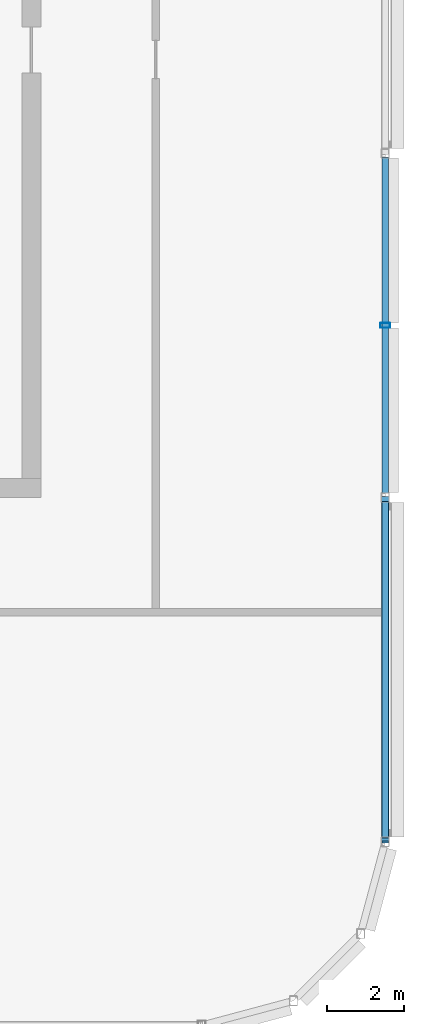
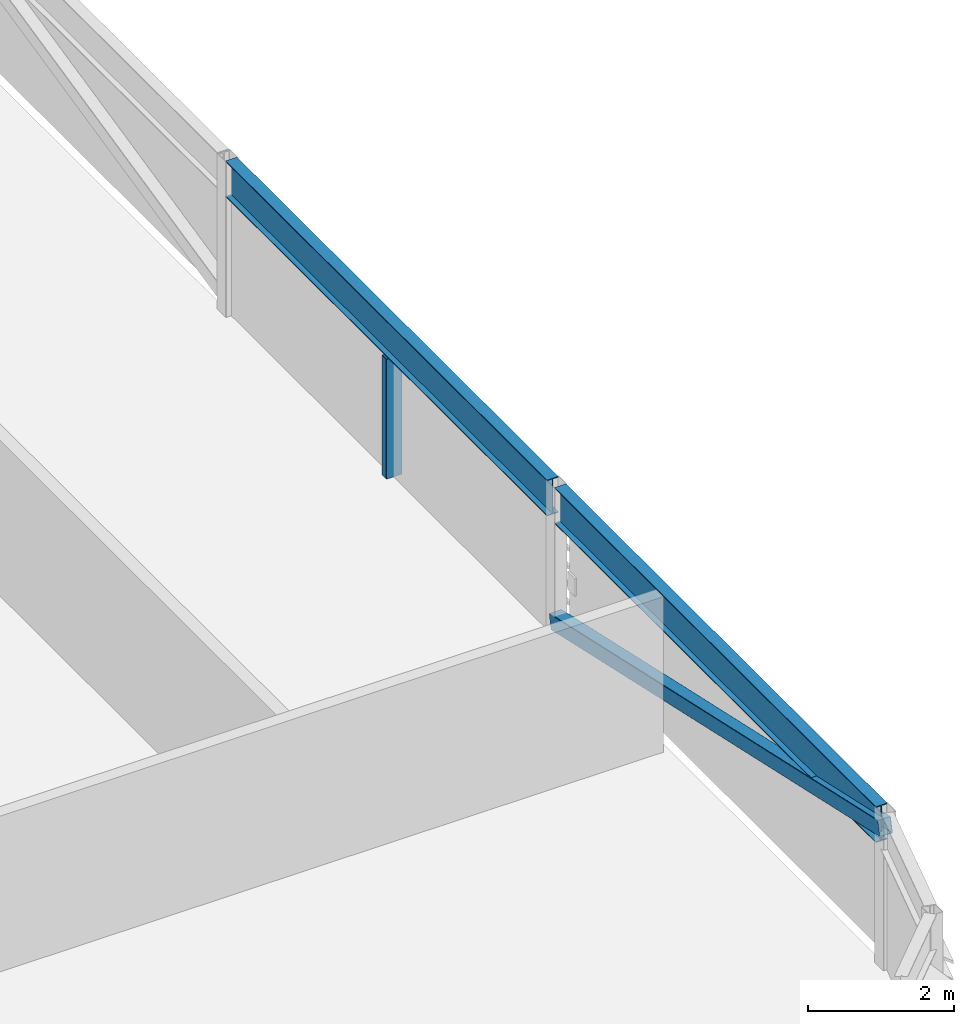
# One storey, part 9 of 27: 2 beams, 2 members.
"""IFC4 building model written with IfcOpenShell, lengths in metres."""

import ifcopenshell
import ifcopenshell.guid

model = None  # the IFC model being written
_history = None  # IfcOwnerHistory: only IFC2X3 demands one
_inside = {}  # id of a spatial element -> (the spatial element, [elements in it])
_under = {}  # id of a project, library or spatial element -> (it, [spatial elements below it])
_declared = {}  # id of a project -> (the project, [libraries it declares])
_typed = {}  # id of a type object -> (the type object, [elements of that type])
_made_of = {}  # id of a material, layer set ... -> (it, [elements and type objects made of it])


def new_model(schema):
    """Start an empty IFC model of exactly this schema.

    Asked for "IFC4X3", IfcOpenShell would pick the latest addendum, in which some entities
    have other attributes; the version numbers below select the first issue.
    IFC2X3 requires an IfcOwnerHistory on every rooted entity: one is made here for all.
    """
    global model, _history
    if schema == "IFC4X3":
        model = ifcopenshell.file(schema_version=(4, 3, 0, 0))
    else:
        model = ifcopenshell.file(schema=schema)
    _inside.clear()
    _under.clear()
    _declared.clear()
    _typed.clear()
    _made_of.clear()
    _history = None
    if model.schema == "IFC2X3":
        org = make("IfcOrganization", Name="unknown")
        user = make(
            "IfcPersonAndOrganization",
            ThePerson=make("IfcPerson", FamilyName="unknown"),
            TheOrganization=org,
        )
        app = make(
            "IfcApplication",
            ApplicationDeveloper=org,
            Version="unknown",
            ApplicationFullName="unknown",
            ApplicationIdentifier="unknown",
        )
        _history = make(
            "IfcOwnerHistory",
            OwningUser=user,
            OwningApplication=app,
            ChangeAction="ADDED",
            CreationDate=0,
        )
    return model


def make(cls, **values):
    """One entity of the class cls with the attributes given. An attribute that is None is left unset."""
    return model.create_entity(
        cls, **{name: value for name, value in values.items() if value is not None}
    )


def rooted(cls, **values):
    """An entity with a GlobalId (a new one), such as an element, a storey or a relation."""
    return make(cls, GlobalId=ifcopenshell.guid.new(), OwnerHistory=_history, **values)


def si_unit(unit_type, name, prefix=None):
    """IfcSIUnit, for example si_unit("LENGTHUNIT", "METRE", prefix="MILLI")."""
    return make("IfcSIUnit", UnitType=unit_type, Prefix=prefix, Name=name)


def assignment(units):
    """IfcUnitAssignment: the units of a project."""
    return None if units is None else make("IfcUnitAssignment", Units=units)


def point(xyz):
    """IfcCartesianPoint."""
    return None if xyz is None else make("IfcCartesianPoint", Coordinates=xyz)


def direction(xyz):
    """IfcDirection."""
    return None if xyz is None else make("IfcDirection", DirectionRatios=xyz)


def frame(location, z_axis=None, x_axis=None):
    """IfcAxis2Placement3D, a coordinate frame: its origin and axes. An axis left out is left unset."""
    return make(
        "IfcAxis2Placement3D",
        Location=point(location),
        Axis=direction(z_axis),
        RefDirection=direction(x_axis),
    )


def frame_2d(location, x_axis=None):
    """IfcAxis2Placement2D, a coordinate frame in the plane: its origin and x axis."""
    return make(
        "IfcAxis2Placement2D", Location=point(location), RefDirection=direction(x_axis)
    )


def origin():
    """The frame at (0, 0, 0) with its axes left unset."""
    return frame((0.0, 0.0, 0.0))


def origin_2d():
    """The frame at (0, 0) in the plane with its x axis left unset."""
    return frame_2d((0.0, 0.0))


def place(relative_to, where):
    """IfcLocalPlacement: puts the frame where relative to a parent placement (None: the world)."""
    return make(
        "IfcLocalPlacement", PlacementRelTo=relative_to, RelativePlacement=where
    )


def context(
    kind, dimensions, precision=None, world=None, true_north=None, identifier=None
):
    """IfcGeometricRepresentationContext, for example the 3D "Model" context."""
    return make(
        "IfcGeometricRepresentationContext",
        ContextIdentifier=identifier,
        ContextType=kind,
        CoordinateSpaceDimension=dimensions,
        Precision=precision,
        WorldCoordinateSystem=world,
        TrueNorth=true_north,
    )


def subcontext(parent, identifier, kind, view, scale=None):
    """IfcGeometricRepresentationSubContext, for example "Body" below "Model"."""
    return make(
        "IfcGeometricRepresentationSubContext",
        ContextIdentifier=identifier,
        ContextType=kind,
        ParentContext=parent,
        TargetScale=scale,
        TargetView=view,
    )


def project(units=None, contexts=None):
    """IfcProject with its units and contexts."""
    return rooted(
        "IfcProject",
        Name="project",
        RepresentationContexts=contexts,
        UnitsInContext=assignment(units),
    )


def spatial(cls, under=None, at=None, **own):
    """A site, building, storey or space (cls), placed at a placement, below another one or the project."""
    s = rooted(cls, ObjectPlacement=at, **own)
    if under is not None:
        _under.setdefault(under.id(), (under, []))[1].append(s)
    return s


def profile(cls, at=None, kind="AREA", **sizes):
    """A parametric profile (cls). Its sizes go by their IFC names, for example OverallWidth=200.0."""
    return make(cls, ProfileType=kind, Position=at, **sizes)


def hollow_rectangle(**sizes):
    """IfcRectangleHollowProfileDef."""
    return profile("IfcRectangleHollowProfileDef", **sizes)


def i_section(**sizes):
    """IfcIShapeProfileDef."""
    return profile("IfcIShapeProfileDef", **sizes)


def extrude(swept, where, along, depth):
    """IfcExtrudedAreaSolid: the profile swept, set in the frame where, extruded along a direction by depth."""
    return make(
        "IfcExtrudedAreaSolid",
        SweptArea=swept,
        Position=where,
        ExtrudedDirection=direction(along),
        Depth=depth,
    )


def shape(context_of_items, identifier, shape_type, items):
    """IfcShapeRepresentation: the items that make up one representation, for example the "Body"."""
    return make(
        "IfcShapeRepresentation",
        ContextOfItems=context_of_items,
        RepresentationIdentifier=identifier,
        RepresentationType=shape_type,
        Items=items,
    )


def material(Name=None, Category=None):
    """IfcMaterial."""
    return make("IfcMaterial", Name=Name, Category=Category)


def material_profile(
    of_material, cross_section, Name=None, Category=None, Priority=None
):
    """IfcMaterialProfile: a cross section and its material."""
    return make(
        "IfcMaterialProfile",
        Name=Name,
        Material=of_material,
        Profile=cross_section,
        Priority=Priority,
        Category=Category,
    )


def profile_set(profiles, Name=None, composite=None):
    """IfcMaterialProfileSet."""
    return make(
        "IfcMaterialProfileSet",
        Name=Name,
        MaterialProfiles=profiles,
        CompositeProfile=composite,
    )


def made_of(thing, what):
    """Note that an element or type object is made of a material, layer set ...; save() writes the relation."""
    if what is not None:
        _made_of.setdefault(what.id(), (what, []))[1].append(thing)
    return thing


def type_object(cls, material=None, **own):
    """A type object (cls), such as IfcWallType, which elements share."""
    return made_of(rooted(cls, **own), material)


def element(
    cls,
    number,
    at=None,
    inside=None,
    cuts=None,
    type_object=None,
    material=None,
    context=None,
    identifier="Body",
    shape_type=None,
    held_by="IfcProductDefinitionShape",
    body=None,
    shapes=None,
    **own,
):
    """One element of the class cls, such as IfcWall. Its Tag is "e" and its number.

    at: its placement. inside: the storey or other place that contains it. cuts: it is an
    opening in that element (IfcRelVoidsElement). A single representation is given by context,
    identifier, shape_type and body (its items); several are given by shapes. held_by: the class
    of the entity that holds the representations. save() writes the other relations.
    """
    e = rooted(cls, Tag="e%d" % number, ObjectPlacement=at, **own)
    if body is not None:
        shapes = [shape(context, identifier, shape_type, body)]
    if shapes is not None:
        e.Representation = make(held_by, Representations=shapes)
    if inside is not None:
        _inside.setdefault(inside.id(), (inside, []))[1].append(e)
    if cuts is not None:
        rooted(
            "IfcRelVoidsElement", RelatingBuildingElement=cuts, RelatedOpeningElement=e
        )
    if type_object is not None:
        _typed.setdefault(type_object.id(), (type_object, []))[1].append(e)
    return made_of(e, material)


def aggregate(whole, parts):
    """IfcRelAggregates: a whole, such as a stair, and the parts it consists of."""
    return rooted("IfcRelAggregates", RelatingObject=whole, RelatedObjects=parts)


def save(model, path):
    """Write the relations noted so far, then the file.

    IfcRelAggregates (storeys below a building ...), IfcRelContainedInSpatialStructure (elements
    in a storey), IfcRelDefinesByType, IfcRelAssociatesMaterial and IfcRelDeclares: one each for
    every whole, place, type object, material and project.
    """
    for whole, parts in _under.values():
        aggregate(whole, parts)
    for where, things in _inside.values():
        rooted(
            "IfcRelContainedInSpatialStructure",
            RelatedElements=things,
            RelatingStructure=where,
        )
    for kind, things in _typed.values():
        rooted("IfcRelDefinesByType", RelatedObjects=things, RelatingType=kind)
    for what, things in _made_of.values():
        rooted("IfcRelAssociatesMaterial", RelatedObjects=things, RelatingMaterial=what)
    for by, libraries in _declared.values():
        rooted("IfcRelDeclares", RelatingContext=by, RelatedDefinitions=libraries)
    model.write(path)


model = new_model("IFC4")

# Units and contexts
model_context = context("Model", 3, precision=1e-05, world=origin(), true_north=direction((0.0, 1.0)))
body_context = subcontext(model_context, "Body", "Model", "MODEL_VIEW")
ifc_project = project(units=[si_unit("LENGTHUNIT", "METRE"), si_unit("AREAUNIT", "SQUARE_METRE"), si_unit("VOLUMEUNIT", "CUBIC_METRE"), si_unit("PLANEANGLEUNIT", "RADIAN"), si_unit("MASSUNIT", "GRAM", prefix="KILO")], contexts=[model_context])

# Site, building, storey
site_placement = place(None, origin())
site = spatial("IfcSite", under=ifc_project, at=site_placement, CompositionType="ELEMENT")
building_placement = place(site_placement, origin())
building = spatial("IfcBuilding", under=site, at=building_placement, Name="Madar Terraces", CompositionType="ELEMENT")
storey_placement = place(building_placement, frame((0.0, 0.0, 314.300048828125)))
storey = spatial("IfcBuildingStorey", under=building, at=storey_placement, Name="L81", CompositionType="ELEMENT", Elevation=314.300048828125)

# Beams
ifc_material_1 = material(Name="Steel ASTM A992 Grade 50", Category="steel")
ifc_material_profile_1 = material_profile(ifc_material_1, i_section(OverallWidth=0.1787109375, OverallDepth=0.60205078125, WebThickness=0.010986328125, FlangeThickness=0.014892578125, at=origin_2d()), Name="W24x62")
ifc_profile_set_1 = profile_set([ifc_material_profile_1], Name="Steel ASTM A992 Grade 50")
beam_type = type_object("IfcBeamType", Name="CF2 W24x62", PredefinedType="BEAM", material=ifc_profile_set_1)
for number, where, z_axis, x_axis, name in (
    (1, (56.39990234375, 6.1015625, 2.299072265625), (0.0, 1.0, 0.0), (-1.0, 0.0, 0.0), "Crown frame ring beam CF2"),
    (2, (56.39990234375, 15.1015625, 2.299072265625), (0.0, 1.0, 0.0), (-1.0, 0.0, 0.0), "Crown frame ring beam CF2"),
):
    element("IfcBeam", number, at=place(storey_placement, frame(where, z_axis=z_axis, x_axis=x_axis)), inside=storey, type_object=beam_type, Name=name, PredefinedType="BEAM", context=body_context, shape_type="SweptSolid", body=[
        extrude(i_section(OverallWidth=0.1787109375, OverallDepth=0.60205078125, WebThickness=0.010986328125, FlangeThickness=0.014892578125, at=origin_2d()), origin(), (0.0, 0.0, 1.0), 8.796875),
    ])

# Members
ifc_material_2 = material(Name="Steel ASTM A500 Grade C", Category="steel")
ifc_material_profile_2 = material_profile(ifc_material_2, hollow_rectangle(XDim=0.203125, YDim=0.25390625, WallThickness=0.009521484375, InnerFilletRadius=0.00439453125, OuterFilletRadius=0.01318359375, at=origin_2d()), Name="HSS10x8x.375")
ifc_profile_set_2 = profile_set([ifc_material_profile_2], Name="Steel ASTM A500 Grade C")
member_type_1 = type_object("IfcMemberType", Name="CF5 crown frame brace HSS10x8x.375", PredefinedType="BRACE", material=ifc_profile_set_2)
member_1_placement = place(storey_placement, frame((56.39990234375, 6.0, 2.299072265625), z_axis=(0.0, 0.976209486249, -0.21682951588), x_axis=(-1.0, 0.0, 0.0)))
element("IfcMember", 3, at=member_1_placement, inside=storey, type_object=member_type_1, Name="Crown frame brace CF5", PredefinedType="BRACE", context=body_context, shape_type="SweptSolid", body=[
    extrude(hollow_rectangle(XDim=0.203125, YDim=0.25390625, WallThickness=0.009521484375, InnerFilletRadius=0.00439453125, OuterFilletRadius=0.01318359375, at=origin_2d()), origin(), (0.0, 0.0, 1.0), 9.21923828125),
])
ifc_material_3 = material(Name="Steel ASTM A500 Grade C", Category="steel")
ifc_material_profile_3 = material_profile(ifc_material_3, hollow_rectangle(XDim=0.126953125, YDim=0.25390625, WallThickness=0.00634765625, InnerFilletRadius=0.0029296875, OuterFilletRadius=0.0087890625, at=origin_2d()), Name="HSS10x5x.25")
ifc_profile_set_3 = profile_set([ifc_material_profile_3], Name="Steel ASTM A500 Grade C")
member_type_2 = type_object("IfcMemberType", Name="LS2 HSS10x5x.25", PredefinedType="POST", material=ifc_profile_set_3)
member_2_placement = place(storey_placement, frame((56.39990234375, 19.5, 0.0), z_axis=(0.0, 0.0, 1.0), x_axis=(0.0, 1.0, 0.0)))
element("IfcMember", 4, at=member_2_placement, inside=storey, type_object=member_type_2, Name="Crown louvre post LS2", PredefinedType="POST", context=body_context, shape_type="SweptSolid", body=[
    extrude(hollow_rectangle(XDim=0.126953125, YDim=0.25390625, WallThickness=0.00634765625, InnerFilletRadius=0.0029296875, OuterFilletRadius=0.0087890625, at=origin_2d()), origin(), (0.0, 0.0, 1.0), 1.998046875),
])

save(model, "model.ifc")
